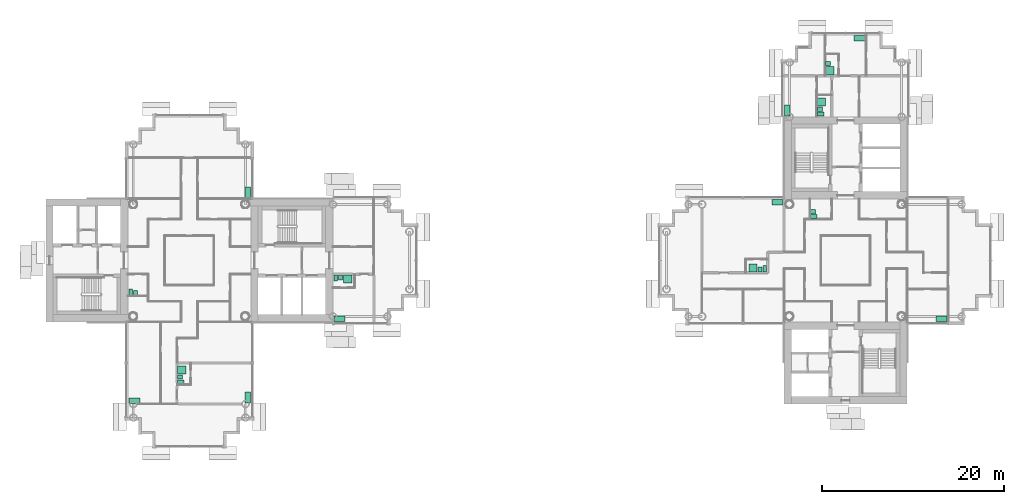
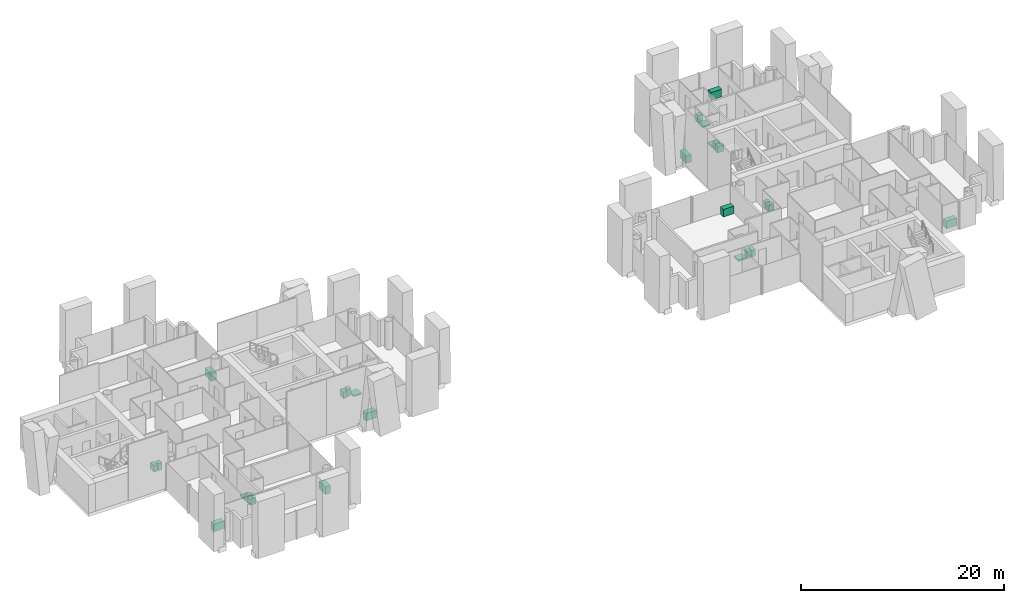
# One storey, part 18 of 18: 26 sanitary terminals.
"""IFC4 building model written with IfcOpenShell, lengths in metres."""

from ifc_helpers import new_model, si_unit, direction, frame, origin, origin_2d, place, context, subcontext, project, spatial, rectangle, extrude, material, type_object, element, save


model = new_model("IFC4")

# Units and contexts
model_context = context("Model", 3, precision=1e-05, world=origin(), true_north=direction((0.0, 1.0)))
body_context = subcontext(model_context, "Body", "Model", "MODEL_VIEW")
ifc_project = project(units=[si_unit("LENGTHUNIT", "METRE"), si_unit("AREAUNIT", "SQUARE_METRE"), si_unit("VOLUMEUNIT", "CUBIC_METRE"), si_unit("PLANEANGLEUNIT", "RADIAN"), si_unit("MASSUNIT", "GRAM", prefix="KILO")], contexts=[model_context])

# Site, building, storey
site_placement = place(None, origin())
site = spatial("IfcSite", under=ifc_project, at=site_placement, CompositionType="ELEMENT")
building_placement = place(site_placement, origin())
building = spatial("IfcBuilding", under=site, at=building_placement, Name="Ipe Terrace Towers", CompositionType="ELEMENT")
storey_placement = place(building_placement, frame((0.0, 0.0, 150.699951171875)))
storey = spatial("IfcBuildingStorey", under=building, at=storey_placement, Name="L41", CompositionType="ELEMENT", Elevation=150.699951171875)

# Sanitary terminals
ifc_material_1 = material(Name="Stainless sink unit", Category="metal")
sanitary_terminal_type_1 = type_object("IfcSanitaryTerminalType", Name="Kitchen sink unit", PredefinedType="SINK", material=ifc_material_1)
for number, where, z_axis, x_axis, name in (
    (1, (-29.6201171875, 7.469970703125, 0.0), (0.0, 0.0, 1.0), (0.0, -1.0, 0.0), "Kitchen sink unit"),
    (2, (-29.6201171875, -15.030029296875, 0.0), (0.0, 0.0, 1.0), (0.0, -1.0, 0.0), "Kitchen sink unit"),
    (3, (-42.030029296875, -15.3798828125, 0.0), (0.0, 0.0, 1.0), (-1.0, 0.0, 0.0), "Kitchen sink unit"),
    (4, (-19.530029296875, -6.3798828125, 0.0), (0.0, 0.0, 1.0), (-1.0, 0.0, 0.0), "Kitchen sink unit"),
    (5, (28.530029296875, 6.3798828125, 0.0), (0.0, 0.0, 1.0), (1.0, 0.0, 0.0), "Kitchen sink unit"),
    (6, (46.530029296875, -6.3798828125, 0.0), (0.0, 0.0, 1.0), (-1.0, 0.0, 0.0), "Kitchen sink unit"),
    (7, (29.6201171875, 16.469970703125, 0.0), (0.0, 0.0, 1.0), (0.0, 1.0, 0.0), "Kitchen sink unit"),
    (8, (37.530029296875, 24.3798828125, 0.0), (0.0, 0.0, 1.0), (1.0, 0.0, 0.0), "Kitchen sink unit"),
):
    element("IfcSanitaryTerminal", number, at=place(storey_placement, frame(where, z_axis=z_axis, x_axis=x_axis)), inside=storey, type_object=sanitary_terminal_type_1, Name=name, PredefinedType="SINK", context=body_context, shape_type="SweptSolid", body=[
        extrude(rectangle(XDim=1.199951171875, YDim=0.60009765625, at=origin_2d()), origin(), (0.0, 0.0, 1.0), 0.89990234375),
    ])
ifc_material_2 = material(Name="Acrylic", Category="plastic")
sanitary_terminal_type_2 = type_object("IfcSanitaryTerminalType", Name="Shower tray", PredefinedType="SHOWER", material=ifc_material_2)
for number, where, z_axis, x_axis, name in (
    (9, (-36.830078125, -12.030029296875, 0.0), (0.0, 0.0, 1.0), (1.0, 0.0, 0.0), "Shower tray"),
    (10, (-18.6298828125, -2.02001953125, 0.0), (0.0, 0.0, 1.0), (0.0, -1.0, 0.0), "Shower tray"),
    (11, (25.830078125, -0.830078125, 0.0), (0.0, 0.0, 1.0), (0.0, 1.0, 0.0), "Shower tray"),
    (12, (33.3701171875, 17.3701171875, 0.0), (0.0, 0.0, 1.0), (1.0, 0.0, 0.0), "Shower tray"),
    (13, (34.27001953125, 20.820068359375, 0.0), (0.0, 0.0, 1.0), (1.0, 0.0, 0.0), "Shower tray"),
):
    element("IfcSanitaryTerminal", number, at=place(storey_placement, frame(where, z_axis=z_axis, x_axis=x_axis)), inside=storey, type_object=sanitary_terminal_type_2, Name=name, PredefinedType="SHOWER", context=body_context, shape_type="SweptSolid", body=[
        extrude(rectangle(XDim=0.89990234375, YDim=0.89990234375, at=origin_2d()), origin(), (0.0, 0.0, 1.0), 0.14990234375),
    ])
ifc_material_3 = material(Name="Vitreous china", Category="ceramic")
sanitary_terminal_type_3 = type_object("IfcSanitaryTerminalType", Name="Wash basin", PredefinedType="WASHHANDBASIN", material=ifc_material_3)
for number, where, z_axis, x_axis, name in (
    (14, (-41.905029296875, -3.554931640625, 0.0), (0.0, 0.0, 1.0), (0.0, 1.0, 0.0), "Wash basin"),
    (15, (-37.0048828125, -12.804931640625, 0.0), (0.0, 0.0, 1.0), (1.0, 0.0, 0.0), "Wash basin"),
    (16, (-19.405029296875, -1.844970703125, 0.0), (0.0, 0.0, 1.0), (0.0, -1.0, 0.0), "Wash basin"),
    (17, (32.445068359375, 5.344970703125, 0.0), (0.0, 0.0, 1.0), (1.0, 0.0, 0.0), "Wash basin"),
    (18, (26.60498046875, -1.0048828125, 0.0), (0.0, 0.0, 1.0), (0.0, 1.0, 0.0), "Wash basin"),
    (19, (33.195068359375, 16.594970703125, 0.0), (0.0, 0.0, 1.0), (1.0, 0.0, 0.0), "Wash basin"),
    (20, (34.094970703125, 21.594970703125, 0.0), (0.0, 0.0, 1.0), (1.0, 0.0, 0.0), "Wash basin"),
):
    element("IfcSanitaryTerminal", number, at=place(storey_placement, frame(where, z_axis=z_axis, x_axis=x_axis)), inside=storey, type_object=sanitary_terminal_type_3, Name=name, PredefinedType="WASHHANDBASIN", context=body_context, shape_type="SweptSolid", body=[
        extrude(rectangle(XDim=0.550048828125, YDim=0.449951171875, at=origin_2d()), origin(), (0.0, 0.0, 1.0), 0.85009765625),
    ])
ifc_material_4 = material(Name="Vitreous china", Category="ceramic")
sanitary_terminal_type_4 = type_object("IfcSanitaryTerminalType", Name="Water closet", PredefinedType="TOILETPAN", material=ifc_material_4)
for number, where, z_axis, x_axis, name in (
    (21, (-42.429931640625, -3.47998046875, 0.0), (0.0, 0.0, 1.0), (0.0, 1.0, 0.0), "Water closet"),
    (22, (-36.929931640625, -13.330078125, 0.0), (0.0, 0.0, 1.0), (1.0, 0.0, 0.0), "Water closet"),
    (23, (-19.929931640625, -1.919921875, 0.0), (0.0, 0.0, 1.0), (0.0, -1.0, 0.0), "Water closet"),
    (24, (32.52001953125, 4.820068359375, 0.0), (0.0, 0.0, 1.0), (1.0, 0.0, 0.0), "Water closet"),
    (25, (27.1298828125, -0.929931640625, 0.0), (0.0, 0.0, 1.0), (0.0, 1.0, 0.0), "Water closet"),
    (26, (33.27001953125, 16.070068359375, 0.0), (0.0, 0.0, 1.0), (1.0, 0.0, 0.0), "Water closet"),
):
    element("IfcSanitaryTerminal", number, at=place(storey_placement, frame(where, z_axis=z_axis, x_axis=x_axis)), inside=storey, type_object=sanitary_terminal_type_4, Name=name, PredefinedType="TOILETPAN", context=body_context, shape_type="SweptSolid", body=[
        extrude(rectangle(XDim=0.699951171875, YDim=0.39990234375, at=origin_2d()), origin(), (0.0, 0.0, 1.0), 0.780029296875),
    ])

save(model, "model.ifc")
